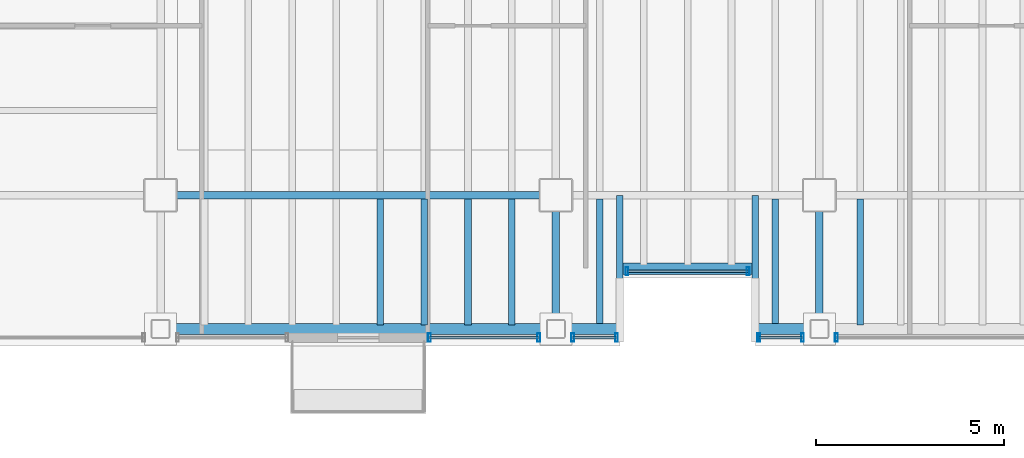
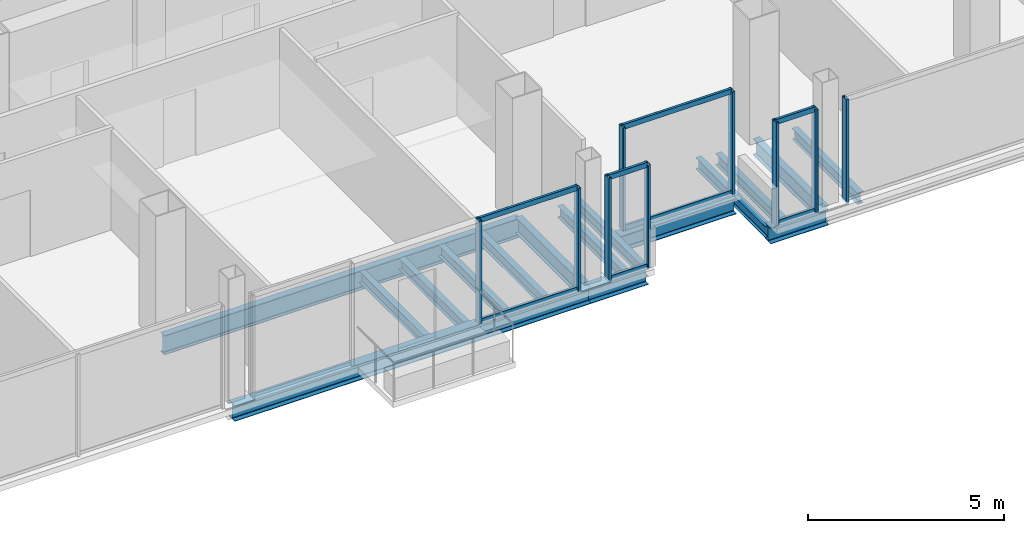
# One storey, part 4 of 19: 17 members, 16 beams, 5 elements without a shape of their own.
"""IFC4 building model written with IfcOpenShell, lengths in metres."""

from ifc_helpers import new_model, si_unit, direction, frame, origin, origin_2d, place, context, subcontext, project, spatial, hollow_rectangle, i_section, extrude, material, material_profile, profile_set, type_object, element, aggregate, save


model = new_model("IFC4")

# Units and contexts
model_context = context("Model", 3, precision=1e-05, world=origin(), true_north=direction((0.0, 1.0)))
body_context = subcontext(model_context, "Body", "Model", "MODEL_VIEW")
ifc_project = project(units=[si_unit("LENGTHUNIT", "METRE"), si_unit("AREAUNIT", "SQUARE_METRE"), si_unit("VOLUMEUNIT", "CUBIC_METRE"), si_unit("PLANEANGLEUNIT", "RADIAN"), si_unit("MASSUNIT", "GRAM", prefix="KILO")], contexts=[model_context])

# Site, building, storey
site_placement = place(None, origin())
site = spatial("IfcSite", under=ifc_project, at=site_placement, CompositionType="ELEMENT")
building_placement = place(site_placement, origin())
building = spatial("IfcBuilding", under=site, at=building_placement, Name="Noeulbin Bourse Tower", CompositionType="ELEMENT")
storey_placement = place(building_placement, frame((0.0, 0.0, 153.89990234375)))
storey = spatial("IfcBuildingStorey", under=building, at=storey_placement, Name="L38", CompositionType="ELEMENT", Elevation=153.89990234375)

# Beams
ifc_material_1 = material(Name="Steel S355", Category="steel")
ifc_material_profile_1 = material_profile(ifc_material_1, i_section(OverallWidth=0.199951171875, OverallDepth=0.5, WebThickness=0.010009765625, FlangeThickness=0.01611328125, FilletRadius=0.02001953125, at=origin_2d()), Name="H-500x200x10x16", Category="LoadBearing")
ifc_profile_set_1 = profile_set([ifc_material_profile_1], Name="Steel S355")
beam_type_1 = type_object("IfcBeamType", Name="BM-GRD-500", PredefinedType="USERDEFINED", material=ifc_profile_set_1)
for number, where, z_axis, x_axis, name in (
    (1, (24.0, 16.449951171875, -0.429931640625), (0.0, 1.0, 0.0), (-1.0, 0.0, 0.0), "Tower Primary Girder NS L38-2.1"),
    (2, (31.0, 16.449951171875, -0.429931640625), (0.0, 1.0, 0.0), (-1.0, 0.0, 0.0), "Tower Primary Girder NS L38-3.1"),
):
    element("IfcBeam", number, at=place(storey_placement, frame(where, z_axis=z_axis, x_axis=x_axis)), inside=storey, type_object=beam_type_1, Name=name, ObjectType="GIRDER", PredefinedType="USERDEFINED", context=body_context, shape_type="SweptSolid", body=[
        extrude(i_section(OverallWidth=0.199951171875, OverallDepth=0.5, WebThickness=0.010009765625, FlangeThickness=0.01611328125, FilletRadius=0.02001953125, at=origin_2d()), origin(), (0.0, 0.0, 1.0), 3.550048828125),
    ])
ifc_material_profile_2 = material_profile(ifc_material_1, i_section(OverallWidth=0.199951171875, OverallDepth=0.60009765625, WebThickness=0.010986328125, FlangeThickness=0.01708984375, FilletRadius=0.02197265625, at=origin_2d()), Name="H-600x200x11x17", Category="LoadBearing")
ifc_profile_set_2 = profile_set([ifc_material_profile_2], Name="Steel S355")
beam_type_2 = type_object("IfcBeamType", Name="BM-GRD-600", PredefinedType="USERDEFINED", material=ifc_profile_set_2)
beam_1_placement = place(storey_placement, frame((13.5, 20.0, -0.47998046875), z_axis=(1.0, 0.0, 0.0), x_axis=(0.0, 1.0, 0.0)))
element("IfcBeam", 3, at=beam_1_placement, inside=storey, type_object=beam_type_2, Name="Tower Primary Girder EW L38-1.2", ObjectType="GIRDER", PredefinedType="USERDEFINED", context=body_context, shape_type="SweptSolid", body=[
    extrude(i_section(OverallWidth=0.199951171875, OverallDepth=0.60009765625, WebThickness=0.010986328125, FlangeThickness=0.01708984375, FilletRadius=0.02197265625, at=origin_2d()), origin(), (0.0, 0.0, 1.0), 10.5),
])
ifc_material_profile_3 = material_profile(ifc_material_1, i_section(OverallWidth=0.175048828125, OverallDepth=0.35009765625, WebThickness=0.007080078125, FlangeThickness=0.010986328125, FilletRadius=0.013916015625, at=origin_2d()), Name="H-350x175x7x11", Category="LoadBearing")
ifc_profile_set_3 = profile_set([ifc_material_profile_3], Name="Steel S355")
beam_type_3 = type_object("IfcBeamType", Name="BM-JST-350", PredefinedType="JOIST", material=ifc_profile_set_3)
for number, where, z_axis, x_axis, name in (
    (4, (25.699951171875, 16.449951171875, -0.35498046875), (0.0, 1.0, 0.0), (-1.0, 0.0, 0.0), "BM-L38-SRT-W"),
    (5, (29.300048828125, 16.449951171875, -0.35498046875), (0.0, 1.0, 0.0), (-1.0, 0.0, 0.0), "BM-L38-SRT-E"),
):
    element("IfcBeam", number, at=place(storey_placement, frame(where, z_axis=z_axis, x_axis=x_axis)), inside=storey, type_object=beam_type_3, Name=name, PredefinedType="JOIST", context=body_context, shape_type="SweptSolid", body=[
        extrude(i_section(OverallWidth=0.175048828125, OverallDepth=0.35009765625, WebThickness=0.007080078125, FlangeThickness=0.010986328125, FilletRadius=0.013916015625, at=origin_2d()), origin(), (0.0, 0.0, 1.0), 3.550048828125),
    ])
for number, where, z_axis, x_axis, name in (
    (6, (19.333251953125, 16.550048828125, -0.35498046875), (0.0, 1.0, 0.0), (-1.0, 0.0, 0.0), "Tower Composite Joist L38-13"),
    (7, (20.5, 16.550048828125, -0.35498046875), (0.0, 1.0, 0.0), (-1.0, 0.0, 0.0), "Tower Composite Joist L38-16"),
    (8, (21.666748046875, 16.550048828125, -0.35498046875), (0.0, 1.0, 0.0), (-1.0, 0.0, 0.0), "Tower Composite Joist L38-19"),
    (9, (22.833251953125, 16.550048828125, -0.35498046875), (0.0, 1.0, 0.0), (-1.0, 0.0, 0.0), "Tower Composite Joist L38-22"),
    (10, (25.166748046875, 16.550048828125, -0.35498046875), (0.0, 1.0, 0.0), (-1.0, 0.0, 0.0), "Tower Composite Joist L38-25"),
    (11, (29.833251953125, 16.550048828125, -0.35498046875), (0.0, 1.0, 0.0), (-1.0, 0.0, 0.0), "Tower Composite Joist L38-37"),
    (12, (32.083251953125, 16.550048828125, -0.35498046875), (0.0, 1.0, 0.0), (-1.0, 0.0, 0.0), "Tower Composite Joist L38-40"),
):
    element("IfcBeam", number, at=place(storey_placement, frame(where, z_axis=z_axis, x_axis=x_axis)), inside=storey, type_object=beam_type_3, Name=name, PredefinedType="JOIST", context=body_context, shape_type="SweptSolid", body=[
        extrude(i_section(OverallWidth=0.175048828125, OverallDepth=0.35009765625, WebThickness=0.007080078125, FlangeThickness=0.010986328125, FilletRadius=0.013916015625, at=origin_2d()), origin(), (0.0, 0.0, 1.0), 3.349853515625),
    ])
ifc_material_profile_4 = material_profile(ifc_material_1, i_section(OverallWidth=0.300048828125, OverallDepth=0.488037109375, WebThickness=0.010986328125, FlangeThickness=0.01806640625, FilletRadius=0.02197265625, at=origin_2d()), Name="H-488x300x11x18", Category="LoadBearing")
ifc_profile_set_4 = profile_set([ifc_material_profile_4], Name="Steel S355")
beam_type_4 = type_object("IfcBeamType", Name="BM-SPN-488", PredefinedType="SPANDREL", material=ifc_profile_set_4)
beam_2_placement = place(storey_placement, frame((13.5, 16.449951171875, -0.423828125), z_axis=(1.0, 0.0, 0.0), x_axis=(0.0, 1.0, 0.0)))
element("IfcBeam", 13, at=beam_2_placement, inside=storey, type_object=beam_type_4, Name="South Spandrel L38-1", PredefinedType="SPANDREL", context=body_context, shape_type="SweptSolid", body=[
    extrude(i_section(OverallWidth=0.300048828125, OverallDepth=0.488037109375, WebThickness=0.010986328125, FlangeThickness=0.01806640625, FilletRadius=0.02197265625, at=origin_2d()), origin(), (0.0, 0.0, 1.0), 10.5),
])
beam_3_placement = place(storey_placement, frame((25.78759765625, 18.050048828125, -0.423828125), z_axis=(1.0, 0.0, 0.0), x_axis=(0.0, 1.0, 0.0)))
element("IfcBeam", 14, at=beam_3_placement, inside=storey, type_object=beam_type_4, Name="South Recess Spandrel L38-2B", PredefinedType="SPANDREL", context=body_context, shape_type="SweptSolid", body=[
    extrude(i_section(OverallWidth=0.300048828125, OverallDepth=0.488037109375, WebThickness=0.010986328125, FlangeThickness=0.01806640625, FilletRadius=0.02197265625, at=origin_2d()), origin(), (0.0, 0.0, 1.0), 3.4248046875),
])
for number, where, z_axis, x_axis, name in (
    (15, (24.0, 16.449951171875, -0.423828125), (1.0, 0.0, 0.0), (0.0, 1.0, 0.0), "South Spandrel L38-2A"),
    (16, (29.300048828125, 16.449951171875, -0.423828125), (1.0, 0.0, 0.0), (0.0, 1.0, 0.0), "South Spandrel L38-2C"),
):
    element("IfcBeam", number, at=place(storey_placement, frame(where, z_axis=z_axis, x_axis=x_axis)), inside=storey, type_object=beam_type_4, Name=name, PredefinedType="SPANDREL", context=body_context, shape_type="SweptSolid", body=[
        extrude(i_section(OverallWidth=0.300048828125, OverallDepth=0.488037109375, WebThickness=0.010986328125, FlangeThickness=0.01806640625, FilletRadius=0.02197265625, at=origin_2d()), origin(), (0.0, 0.0, 1.0), 1.699951171875),
    ])

# Curtain wall, members
ifc_material_2 = material(Name="Dark Tinted Triple Glazing", Category="glass")
curtain_wall_type = type_object("IfcCurtainWallType", Name="CW-SYS-3", PredefinedType="NOTDEFINED", material=ifc_material_2)
curtain_wall_1_placement = place(storey_placement, origin())
curtain_wall_1 = element("IfcCurtainWall", 17, at=curtain_wall_1_placement, inside=storey, type_object=curtain_wall_type, Name="Unitised Curtain Wall CW-L38-SREC", PredefinedType="NOTDEFINED")
ifc_material_3 = material(Name="Anodised Aluminium 6063-T6", Category="aluminium")
ifc_material_profile_5 = material_profile(ifc_material_3, hollow_rectangle(XDim=0.074951171875, YDim=0.219970703125, WallThickness=0.0048828125, InnerFilletRadius=0.00244140625, OuterFilletRadius=0.0048828125, at=origin_2d()), Name="ALU-MULL-75x220x5", Category="LoadBearing")
ifc_profile_set_5 = profile_set([ifc_material_profile_5], Name="Anodised Aluminium 6063-T6")
member_type_1 = type_object("IfcMemberType", Name="CW-SYS-3-MUL", PredefinedType="MULLION", material=ifc_profile_set_5)
member_1_placement = place(storey_placement, frame((25.889892578125, 17.97998046875, -0.02001953125), z_axis=(0.0, 0.0, 1.0), x_axis=(1.0, 0.0, 0.0)))
member_1 = element("IfcMember", 18, at=member_1_placement, type_object=member_type_1, Name="Curtain Wall Mullion CW-L38-SREC-M00", PredefinedType="MULLION", context=body_context, shape_type="SweptSolid", body=[
    extrude(hollow_rectangle(XDim=0.074951171875, YDim=0.219970703125, WallThickness=0.0048828125, InnerFilletRadius=0.00244140625, OuterFilletRadius=0.0048828125, at=origin_2d()), origin(), (0.0, 0.0, 1.0), 3.22021484375),
])
member_2_placement = place(storey_placement, frame((29.110107421875, 17.97998046875, -0.02001953125), z_axis=(0.0, 0.0, 1.0), x_axis=(1.0, 0.0, 0.0)))
member_2 = element("IfcMember", 19, at=member_2_placement, type_object=member_type_1, Name="Curtain Wall Mullion CW-L38-SREC-M01", PredefinedType="MULLION", context=body_context, shape_type="SweptSolid", body=[
    extrude(hollow_rectangle(XDim=0.074951171875, YDim=0.219970703125, WallThickness=0.0048828125, InnerFilletRadius=0.00244140625, OuterFilletRadius=0.0048828125, at=origin_2d()), origin(), (0.0, 0.0, 1.0), 3.22021484375),
])

curtain_wall_2_placement = place(storey_placement, origin())
curtain_wall_2 = element("IfcCurtainWall", 20, at=curtain_wall_2_placement, inside=storey, type_object=curtain_wall_type, Name="Unitised Curtain Wall CW-L38-S2-S1", PredefinedType="NOTDEFINED")
member_3_placement = place(storey_placement, frame((20.639892578125, 16.219970703125, -0.02001953125), z_axis=(0.0, 0.0, 1.0), x_axis=(1.0, 0.0, 0.0)))
member_3 = element("IfcMember", 21, at=member_3_placement, type_object=member_type_1, Name="Curtain Wall Mullion CW-L38-S2-S1-M00", PredefinedType="MULLION", context=body_context, shape_type="SweptSolid", body=[
    extrude(hollow_rectangle(XDim=0.074951171875, YDim=0.219970703125, WallThickness=0.0048828125, InnerFilletRadius=0.00244140625, OuterFilletRadius=0.0048828125, at=origin_2d()), origin(), (0.0, 0.0, 1.0), 3.22021484375),
])
member_4_placement = place(storey_placement, frame((23.550048828125, 16.219970703125, -0.02001953125), z_axis=(0.0, 0.0, 1.0), x_axis=(1.0, 0.0, 0.0)))
member_4 = element("IfcMember", 22, at=member_4_placement, type_object=member_type_1, Name="Curtain Wall Mullion CW-L38-S2-S1-M01", PredefinedType="MULLION", context=body_context, shape_type="SweptSolid", body=[
    extrude(hollow_rectangle(XDim=0.074951171875, YDim=0.219970703125, WallThickness=0.0048828125, InnerFilletRadius=0.00244140625, OuterFilletRadius=0.0048828125, at=origin_2d()), origin(), (0.0, 0.0, 1.0), 3.22021484375),
])

curtain_wall_3_placement = place(storey_placement, origin())
curtain_wall_3 = element("IfcCurtainWall", 23, at=curtain_wall_3_placement, inside=storey, type_object=curtain_wall_type, Name="Unitised Curtain Wall CW-L38-S2-S2", PredefinedType="NOTDEFINED")
member_5_placement = place(storey_placement, frame((24.449951171875, 16.219970703125, -0.02001953125), z_axis=(0.0, 0.0, 1.0), x_axis=(1.0, 0.0, 0.0)))
member_5 = element("IfcMember", 24, at=member_5_placement, type_object=member_type_1, Name="Curtain Wall Mullion CW-L38-S2-S2-M00", PredefinedType="MULLION", context=body_context, shape_type="SweptSolid", body=[
    extrude(hollow_rectangle(XDim=0.074951171875, YDim=0.219970703125, WallThickness=0.0048828125, InnerFilletRadius=0.00244140625, OuterFilletRadius=0.0048828125, at=origin_2d()), origin(), (0.0, 0.0, 1.0), 3.22021484375),
])
member_6_placement = place(storey_placement, frame((25.610107421875, 16.219970703125, -0.02001953125), z_axis=(0.0, 0.0, 1.0), x_axis=(1.0, 0.0, 0.0)))
member_6 = element("IfcMember", 25, at=member_6_placement, type_object=member_type_1, Name="Curtain Wall Mullion CW-L38-S2-S2-M01", PredefinedType="MULLION", context=body_context, shape_type="SweptSolid", body=[
    extrude(hollow_rectangle(XDim=0.074951171875, YDim=0.219970703125, WallThickness=0.0048828125, InnerFilletRadius=0.00244140625, OuterFilletRadius=0.0048828125, at=origin_2d()), origin(), (0.0, 0.0, 1.0), 3.22021484375),
])

curtain_wall_4_placement = place(storey_placement, origin())
curtain_wall_4 = element("IfcCurtainWall", 26, at=curtain_wall_4_placement, inside=storey, type_object=curtain_wall_type, Name="Unitised Curtain Wall CW-L38-S3-S1", PredefinedType="NOTDEFINED")
member_7_placement = place(storey_placement, frame((29.389892578125, 16.219970703125, -0.02001953125), z_axis=(0.0, 0.0, 1.0), x_axis=(1.0, 0.0, 0.0)))
member_7 = element("IfcMember", 27, at=member_7_placement, type_object=member_type_1, Name="Curtain Wall Mullion CW-L38-S3-S1-M00", PredefinedType="MULLION", context=body_context, shape_type="SweptSolid", body=[
    extrude(hollow_rectangle(XDim=0.074951171875, YDim=0.219970703125, WallThickness=0.0048828125, InnerFilletRadius=0.00244140625, OuterFilletRadius=0.0048828125, at=origin_2d()), origin(), (0.0, 0.0, 1.0), 3.22021484375),
])
member_8_placement = place(storey_placement, frame((30.550048828125, 16.219970703125, -0.02001953125), z_axis=(0.0, 0.0, 1.0), x_axis=(1.0, 0.0, 0.0)))
member_8 = element("IfcMember", 28, at=member_8_placement, type_object=member_type_1, Name="Curtain Wall Mullion CW-L38-S3-S1-M01", PredefinedType="MULLION", context=body_context, shape_type="SweptSolid", body=[
    extrude(hollow_rectangle(XDim=0.074951171875, YDim=0.219970703125, WallThickness=0.0048828125, InnerFilletRadius=0.00244140625, OuterFilletRadius=0.0048828125, at=origin_2d()), origin(), (0.0, 0.0, 1.0), 3.22021484375),
])

# Curtain wall, member
curtain_wall_5_placement = place(storey_placement, origin())
curtain_wall_5 = element("IfcCurtainWall", 29, at=curtain_wall_5_placement, inside=storey, type_object=curtain_wall_type, Name="Unitised Curtain Wall CW-L38-S3-S2", PredefinedType="NOTDEFINED")
member_9_placement = place(storey_placement, frame((31.449951171875, 16.219970703125, -0.02001953125), z_axis=(0.0, 0.0, 1.0), x_axis=(1.0, 0.0, 0.0)))
member_9 = element("IfcMember", 30, at=member_9_placement, type_object=member_type_1, Name="Curtain Wall Mullion CW-L38-S3-S2-M00", PredefinedType="MULLION", context=body_context, shape_type="SweptSolid", body=[
    extrude(hollow_rectangle(XDim=0.074951171875, YDim=0.219970703125, WallThickness=0.0048828125, InnerFilletRadius=0.00244140625, OuterFilletRadius=0.0048828125, at=origin_2d()), origin(), (0.0, 0.0, 1.0), 3.22021484375),
])
aggregate(curtain_wall_5, [member_9])

# Member
ifc_material_profile_6 = material_profile(ifc_material_3, hollow_rectangle(XDim=0.074951171875, YDim=0.159912109375, WallThickness=0.0048828125, InnerFilletRadius=0.00244140625, OuterFilletRadius=0.0048828125, at=origin_2d()), Name="ALU-TRAN-75x160x5", Category="LoadBearing")
ifc_profile_set_6 = profile_set([ifc_material_profile_6], Name="Anodised Aluminium 6063-T6")
member_type_2 = type_object("IfcMemberType", Name="CW-SYS-3-TRN", PredefinedType="USERDEFINED", material=ifc_profile_set_6)
member_10_placement = place(storey_placement, frame((25.89990234375, 17.97998046875, 0.010009765625), z_axis=(1.0, 0.0, 0.0), x_axis=(0.0, 1.0, 0.0)))
member_10 = element("IfcMember", 31, at=member_10_placement, type_object=member_type_2, Name="Curtain Wall Transom CW-L38-SREC-T00", ObjectType="TRANSOM", PredefinedType="USERDEFINED", context=body_context, shape_type="SweptSolid", body=[
    extrude(hollow_rectangle(XDim=0.074951171875, YDim=0.159912109375, WallThickness=0.0048828125, InnerFilletRadius=0.00244140625, OuterFilletRadius=0.0048828125, at=origin_2d()), origin(), (0.0, 0.0, 1.0), 3.2001953125),
])

member_11_placement = place(storey_placement, frame((25.89990234375, 17.97998046875, 3.170166015625), z_axis=(1.0, 0.0, 0.0), x_axis=(0.0, 1.0, 0.0)))
member_11 = element("IfcMember", 32, at=member_11_placement, type_object=member_type_2, Name="Curtain Wall Transom CW-L38-SREC-T01", ObjectType="TRANSOM", PredefinedType="USERDEFINED", context=body_context, shape_type="SweptSolid", body=[
    extrude(hollow_rectangle(XDim=0.074951171875, YDim=0.159912109375, WallThickness=0.0048828125, InnerFilletRadius=0.00244140625, OuterFilletRadius=0.0048828125, at=origin_2d()), origin(), (0.0, 0.0, 1.0), 3.2001953125),
])

aggregate(curtain_wall_1, [member_1, member_2, member_10, member_11])

member_12_placement = place(storey_placement, frame((20.64990234375, 16.219970703125, 0.010009765625), z_axis=(1.0, 0.0, 0.0), x_axis=(0.0, 1.0, 0.0)))
member_12 = element("IfcMember", 33, at=member_12_placement, type_object=member_type_2, Name="Curtain Wall Transom CW-L38-S2-S1-T00", ObjectType="TRANSOM", PredefinedType="USERDEFINED", context=body_context, shape_type="SweptSolid", body=[
    extrude(hollow_rectangle(XDim=0.074951171875, YDim=0.159912109375, WallThickness=0.0048828125, InnerFilletRadius=0.00244140625, OuterFilletRadius=0.0048828125, at=origin_2d()), origin(), (0.0, 0.0, 1.0), 2.89013671875),
])

member_13_placement = place(storey_placement, frame((20.64990234375, 16.219970703125, 3.170166015625), z_axis=(1.0, 0.0, 0.0), x_axis=(0.0, 1.0, 0.0)))
member_13 = element("IfcMember", 34, at=member_13_placement, type_object=member_type_2, Name="Curtain Wall Transom CW-L38-S2-S1-T01", ObjectType="TRANSOM", PredefinedType="USERDEFINED", context=body_context, shape_type="SweptSolid", body=[
    extrude(hollow_rectangle(XDim=0.074951171875, YDim=0.159912109375, WallThickness=0.0048828125, InnerFilletRadius=0.00244140625, OuterFilletRadius=0.0048828125, at=origin_2d()), origin(), (0.0, 0.0, 1.0), 2.89013671875),
])

aggregate(curtain_wall_2, [member_3, member_4, member_12, member_13])

member_14_placement = place(storey_placement, frame((24.4599609375, 16.219970703125, 0.010009765625), z_axis=(1.0, 0.0, 0.0), x_axis=(0.0, 1.0, 0.0)))
member_14 = element("IfcMember", 35, at=member_14_placement, type_object=member_type_2, Name="Curtain Wall Transom CW-L38-S2-S2-T00", ObjectType="TRANSOM", PredefinedType="USERDEFINED", context=body_context, shape_type="SweptSolid", body=[
    extrude(hollow_rectangle(XDim=0.074951171875, YDim=0.159912109375, WallThickness=0.0048828125, InnerFilletRadius=0.00244140625, OuterFilletRadius=0.0048828125, at=origin_2d()), origin(), (0.0, 0.0, 1.0), 1.14013671875),
])

member_15_placement = place(storey_placement, frame((24.4599609375, 16.219970703125, 3.170166015625), z_axis=(1.0, 0.0, 0.0), x_axis=(0.0, 1.0, 0.0)))
member_15 = element("IfcMember", 36, at=member_15_placement, type_object=member_type_2, Name="Curtain Wall Transom CW-L38-S2-S2-T01", ObjectType="TRANSOM", PredefinedType="USERDEFINED", context=body_context, shape_type="SweptSolid", body=[
    extrude(hollow_rectangle(XDim=0.074951171875, YDim=0.159912109375, WallThickness=0.0048828125, InnerFilletRadius=0.00244140625, OuterFilletRadius=0.0048828125, at=origin_2d()), origin(), (0.0, 0.0, 1.0), 1.14013671875),
])

aggregate(curtain_wall_3, [member_5, member_6, member_14, member_15])

member_16_placement = place(storey_placement, frame((29.39990234375, 16.219970703125, 0.010009765625), z_axis=(1.0, 0.0, 0.0), x_axis=(0.0, 1.0, 0.0)))
member_16 = element("IfcMember", 37, at=member_16_placement, type_object=member_type_2, Name="Curtain Wall Transom CW-L38-S3-S1-T00", ObjectType="TRANSOM", PredefinedType="USERDEFINED", context=body_context, shape_type="SweptSolid", body=[
    extrude(hollow_rectangle(XDim=0.074951171875, YDim=0.159912109375, WallThickness=0.0048828125, InnerFilletRadius=0.00244140625, OuterFilletRadius=0.0048828125, at=origin_2d()), origin(), (0.0, 0.0, 1.0), 1.14013671875),
])

member_17_placement = place(storey_placement, frame((29.39990234375, 16.219970703125, 3.170166015625), z_axis=(1.0, 0.0, 0.0), x_axis=(0.0, 1.0, 0.0)))
member_17 = element("IfcMember", 38, at=member_17_placement, type_object=member_type_2, Name="Curtain Wall Transom CW-L38-S3-S1-T01", ObjectType="TRANSOM", PredefinedType="USERDEFINED", context=body_context, shape_type="SweptSolid", body=[
    extrude(hollow_rectangle(XDim=0.074951171875, YDim=0.159912109375, WallThickness=0.0048828125, InnerFilletRadius=0.00244140625, OuterFilletRadius=0.0048828125, at=origin_2d()), origin(), (0.0, 0.0, 1.0), 1.14013671875),
])

aggregate(curtain_wall_4, [member_7, member_8, member_16, member_17])

save(model, "model.ifc")
